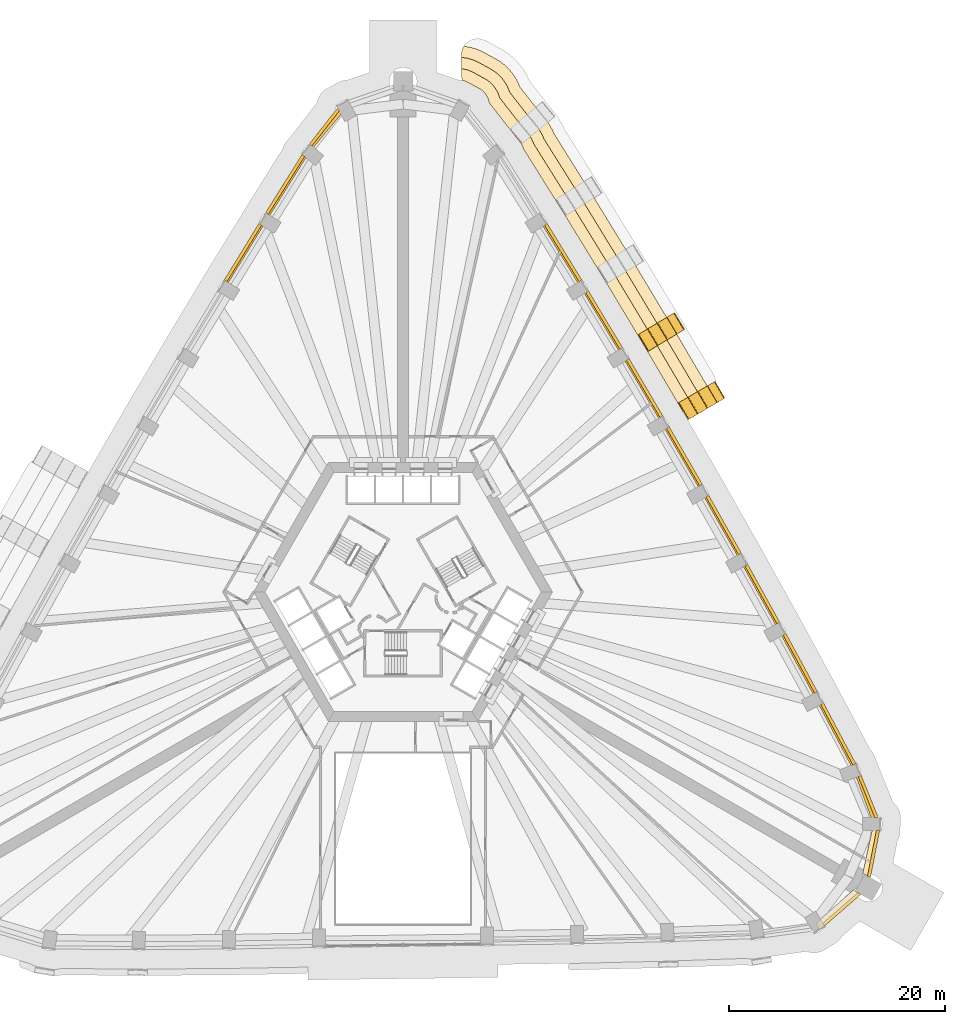
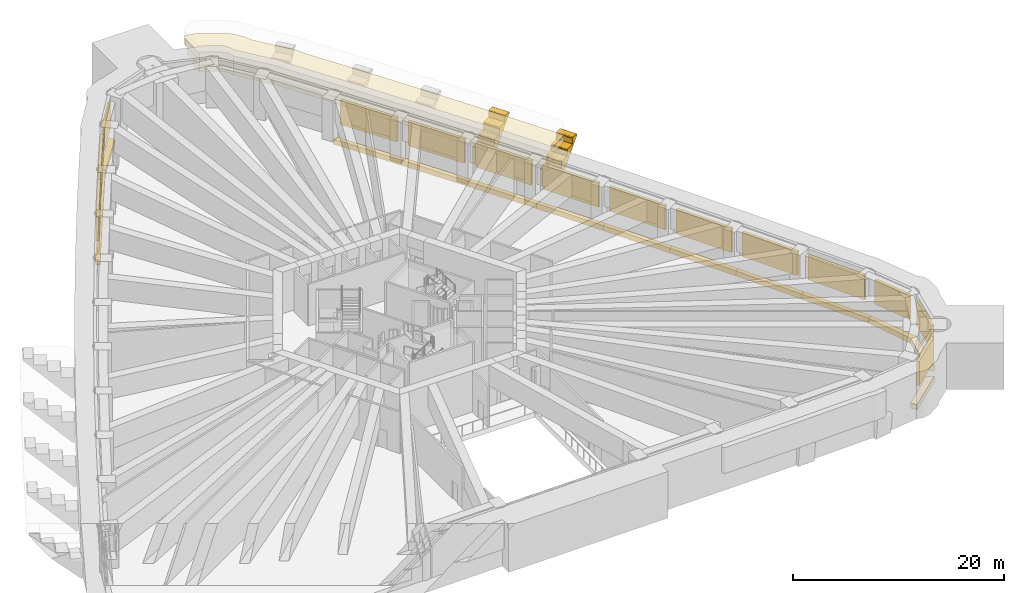
# One storey, part 20 of 21: 19 coverings, 14 shading devices.
"""IFC4 building model written with IfcOpenShell, lengths in metres."""

import ifcopenshell
import ifcopenshell.guid

model = None  # the IFC model being written
_history = None  # IfcOwnerHistory: only IFC2X3 demands one
_inside = {}  # id of a spatial element -> (the spatial element, [elements in it])
_under = {}  # id of a project, library or spatial element -> (it, [spatial elements below it])
_declared = {}  # id of a project -> (the project, [libraries it declares])
_typed = {}  # id of a type object -> (the type object, [elements of that type])
_made_of = {}  # id of a material, layer set ... -> (it, [elements and type objects made of it])


def new_model(schema):
    """Start an empty IFC model of exactly this schema.

    Asked for "IFC4X3", IfcOpenShell would pick the latest addendum, in which some entities
    have other attributes; the version numbers below select the first issue.
    IFC2X3 requires an IfcOwnerHistory on every rooted entity: one is made here for all.
    """
    global model, _history
    if schema == "IFC4X3":
        model = ifcopenshell.file(schema_version=(4, 3, 0, 0))
    else:
        model = ifcopenshell.file(schema=schema)
    _inside.clear()
    _under.clear()
    _declared.clear()
    _typed.clear()
    _made_of.clear()
    _history = None
    if model.schema == "IFC2X3":
        org = make("IfcOrganization", Name="unknown")
        user = make(
            "IfcPersonAndOrganization",
            ThePerson=make("IfcPerson", FamilyName="unknown"),
            TheOrganization=org,
        )
        app = make(
            "IfcApplication",
            ApplicationDeveloper=org,
            Version="unknown",
            ApplicationFullName="unknown",
            ApplicationIdentifier="unknown",
        )
        _history = make(
            "IfcOwnerHistory",
            OwningUser=user,
            OwningApplication=app,
            ChangeAction="ADDED",
            CreationDate=0,
        )
    return model


def make(cls, **values):
    """One entity of the class cls with the attributes given. An attribute that is None is left unset."""
    return model.create_entity(
        cls, **{name: value for name, value in values.items() if value is not None}
    )


def rooted(cls, **values):
    """An entity with a GlobalId (a new one), such as an element, a storey or a relation."""
    return make(cls, GlobalId=ifcopenshell.guid.new(), OwnerHistory=_history, **values)


def si_unit(unit_type, name, prefix=None):
    """IfcSIUnit, for example si_unit("LENGTHUNIT", "METRE", prefix="MILLI")."""
    return make("IfcSIUnit", UnitType=unit_type, Prefix=prefix, Name=name)


def assignment(units):
    """IfcUnitAssignment: the units of a project."""
    return None if units is None else make("IfcUnitAssignment", Units=units)


def point(xyz):
    """IfcCartesianPoint."""
    return None if xyz is None else make("IfcCartesianPoint", Coordinates=xyz)


def direction(xyz):
    """IfcDirection."""
    return None if xyz is None else make("IfcDirection", DirectionRatios=xyz)


def frame(location, z_axis=None, x_axis=None):
    """IfcAxis2Placement3D, a coordinate frame: its origin and axes. An axis left out is left unset."""
    return make(
        "IfcAxis2Placement3D",
        Location=point(location),
        Axis=direction(z_axis),
        RefDirection=direction(x_axis),
    )


def frame_2d(location, x_axis=None):
    """IfcAxis2Placement2D, a coordinate frame in the plane: its origin and x axis."""
    return make(
        "IfcAxis2Placement2D", Location=point(location), RefDirection=direction(x_axis)
    )


def origin():
    """The frame at (0, 0, 0) with its axes left unset."""
    return frame((0.0, 0.0, 0.0))


def origin_2d():
    """The frame at (0, 0) in the plane with its x axis left unset."""
    return frame_2d((0.0, 0.0))


def place(relative_to, where):
    """IfcLocalPlacement: puts the frame where relative to a parent placement (None: the world)."""
    return make(
        "IfcLocalPlacement", PlacementRelTo=relative_to, RelativePlacement=where
    )


def context(
    kind, dimensions, precision=None, world=None, true_north=None, identifier=None
):
    """IfcGeometricRepresentationContext, for example the 3D "Model" context."""
    return make(
        "IfcGeometricRepresentationContext",
        ContextIdentifier=identifier,
        ContextType=kind,
        CoordinateSpaceDimension=dimensions,
        Precision=precision,
        WorldCoordinateSystem=world,
        TrueNorth=true_north,
    )


def subcontext(parent, identifier, kind, view, scale=None):
    """IfcGeometricRepresentationSubContext, for example "Body" below "Model"."""
    return make(
        "IfcGeometricRepresentationSubContext",
        ContextIdentifier=identifier,
        ContextType=kind,
        ParentContext=parent,
        TargetScale=scale,
        TargetView=view,
    )


def project(units=None, contexts=None):
    """IfcProject with its units and contexts."""
    return rooted(
        "IfcProject",
        Name="project",
        RepresentationContexts=contexts,
        UnitsInContext=assignment(units),
    )


def spatial(cls, under=None, at=None, **own):
    """A site, building, storey or space (cls), placed at a placement, below another one or the project."""
    s = rooted(cls, ObjectPlacement=at, **own)
    if under is not None:
        _under.setdefault(under.id(), (under, []))[1].append(s)
    return s


def polyline(points):
    """IfcPolyline through the points."""
    return make("IfcPolyline", Points=[point(p) for p in points])


def profile(cls, at=None, kind="AREA", **sizes):
    """A parametric profile (cls). Its sizes go by their IFC names, for example OverallWidth=200.0."""
    return make(cls, ProfileType=kind, Position=at, **sizes)


def rectangle(**sizes):
    """IfcRectangleProfileDef."""
    return profile("IfcRectangleProfileDef", **sizes)


def outline(outer, holes=None, kind="AREA"):
    """IfcArbitraryClosedProfileDef: a profile drawn as a closed curve; with holes, ...WithVoids."""
    if holes is None:
        return make("IfcArbitraryClosedProfileDef", ProfileType=kind, OuterCurve=outer)
    return make(
        "IfcArbitraryProfileDefWithVoids",
        ProfileType=kind,
        OuterCurve=outer,
        InnerCurves=holes,
    )


def extrude(swept, where, along, depth):
    """IfcExtrudedAreaSolid: the profile swept, set in the frame where, extruded along a direction by depth."""
    return make(
        "IfcExtrudedAreaSolid",
        SweptArea=swept,
        Position=where,
        ExtrudedDirection=direction(along),
        Depth=depth,
    )


def shape(context_of_items, identifier, shape_type, items):
    """IfcShapeRepresentation: the items that make up one representation, for example the "Body"."""
    return make(
        "IfcShapeRepresentation",
        ContextOfItems=context_of_items,
        RepresentationIdentifier=identifier,
        RepresentationType=shape_type,
        Items=items,
    )


def material(Name=None, Category=None):
    """IfcMaterial."""
    return make("IfcMaterial", Name=Name, Category=Category)


def layer(
    of_material, thickness, ventilated=None, Name=None, Category=None, Priority=None
):
    """IfcMaterialLayer: one layer of a wall or slab, of a material (None: an air gap)."""
    return make(
        "IfcMaterialLayer",
        Material=of_material,
        LayerThickness=thickness,
        IsVentilated=ventilated,
        Name=Name,
        Category=Category,
        Priority=Priority,
    )


def layer_set(layers, Name=None):
    """IfcMaterialLayerSet."""
    return make("IfcMaterialLayerSet", MaterialLayers=layers, LayerSetName=Name)


def made_of(thing, what):
    """Note that an element or type object is made of a material, layer set ...; save() writes the relation."""
    if what is not None:
        _made_of.setdefault(what.id(), (what, []))[1].append(thing)
    return thing


def type_object(cls, material=None, **own):
    """A type object (cls), such as IfcWallType, which elements share."""
    return made_of(rooted(cls, **own), material)


def element(
    cls,
    number,
    at=None,
    inside=None,
    cuts=None,
    type_object=None,
    material=None,
    context=None,
    identifier="Body",
    shape_type=None,
    held_by="IfcProductDefinitionShape",
    body=None,
    shapes=None,
    **own,
):
    """One element of the class cls, such as IfcWall. Its Tag is "e" and its number.

    at: its placement. inside: the storey or other place that contains it. cuts: it is an
    opening in that element (IfcRelVoidsElement). A single representation is given by context,
    identifier, shape_type and body (its items); several are given by shapes. held_by: the class
    of the entity that holds the representations. save() writes the other relations.
    """
    e = rooted(cls, Tag="e%d" % number, ObjectPlacement=at, **own)
    if body is not None:
        shapes = [shape(context, identifier, shape_type, body)]
    if shapes is not None:
        e.Representation = make(held_by, Representations=shapes)
    if inside is not None:
        _inside.setdefault(inside.id(), (inside, []))[1].append(e)
    if cuts is not None:
        rooted(
            "IfcRelVoidsElement", RelatingBuildingElement=cuts, RelatedOpeningElement=e
        )
    if type_object is not None:
        _typed.setdefault(type_object.id(), (type_object, []))[1].append(e)
    return made_of(e, material)


def aggregate(whole, parts):
    """IfcRelAggregates: a whole, such as a stair, and the parts it consists of."""
    return rooted("IfcRelAggregates", RelatingObject=whole, RelatedObjects=parts)


def save(model, path):
    """Write the relations noted so far, then the file.

    IfcRelAggregates (storeys below a building ...), IfcRelContainedInSpatialStructure (elements
    in a storey), IfcRelDefinesByType, IfcRelAssociatesMaterial and IfcRelDeclares: one each for
    every whole, place, type object, material and project.
    """
    for whole, parts in _under.values():
        aggregate(whole, parts)
    for where, things in _inside.values():
        rooted(
            "IfcRelContainedInSpatialStructure",
            RelatedElements=things,
            RelatingStructure=where,
        )
    for kind, things in _typed.values():
        rooted("IfcRelDefinesByType", RelatedObjects=things, RelatingType=kind)
    for what, things in _made_of.values():
        rooted("IfcRelAssociatesMaterial", RelatedObjects=things, RelatingMaterial=what)
    for by, libraries in _declared.values():
        rooted("IfcRelDeclares", RelatingContext=by, RelatedDefinitions=libraries)
    model.write(path)


model = new_model("IFC4")

# Units and contexts
model_context = context("Model", 3, precision=1e-05, world=origin(), true_north=direction((0.0, 1.0)))
body_context = subcontext(model_context, "Body", "Model", "MODEL_VIEW")
ifc_project = project(units=[si_unit("LENGTHUNIT", "METRE"), si_unit("AREAUNIT", "SQUARE_METRE"), si_unit("VOLUMEUNIT", "CUBIC_METRE"), si_unit("PLANEANGLEUNIT", "RADIAN"), si_unit("MASSUNIT", "GRAM", prefix="KILO")], contexts=[model_context])

# Site, building, storey
site_placement = place(None, origin())
site = spatial("IfcSite", under=ifc_project, at=site_placement, CompositionType="ELEMENT")
building_placement = place(site_placement, origin())
building = spatial("IfcBuilding", under=site, at=building_placement, Name="Entoto Arch Interchange Tower", CompositionType="ELEMENT")
storey_placement = place(building_placement, frame((0.0, 0.0, 81.199951171875)))
storey = spatial("IfcBuildingStorey", under=building, at=storey_placement, Name="L17", CompositionType="ELEMENT", Elevation=81.199951171875)

# Shading devices
ifc_material_1 = material(Name="Aluminium, anodised", Category="aluminium")
ifc_layer = layer(ifc_material_1, 0.300048828125)
ifc_layer_set = layer_set([ifc_layer], Name="Aluminium, anodised")
shading_device_type = type_object("IfcShadingDeviceType", Name="PLANT LOUVRE ALUMINIUM", PredefinedType="JALOUSIE", material=ifc_layer_set)
shading_device_1_placement = place(storey_placement, frame((40.6708984375, -26.905029296875, 1.2001953125), z_axis=(0.0, 0.0, 1.0), x_axis=(0.754388879192, 0.656427771314, 0.0)))
element("IfcShadingDevice", 1, at=shading_device_1_placement, inside=storey, type_object=shading_device_type, Name="Plant louvre SE-02 L17", PredefinedType="JALOUSIE", context=body_context, shape_type="SweptSolid", body=[
    extrude(rectangle(XDim=4.368896484375, YDim=0.300048828125, at=origin_2d()), origin(), (0.0, 0.0, 1.0), 2.800048828125),
])
shading_device_2_placement = place(storey_placement, frame((43.635986328125, -21.77001953125, 1.2001953125), z_axis=(0.0, 0.0, 1.0), x_axis=(0.191408601662, 0.981510441722, 0.0)))
element("IfcShadingDevice", 2, at=shading_device_2_placement, inside=storey, type_object=shading_device_type, Name="Plant louvre SE-03 L17", PredefinedType="JALOUSIE", context=body_context, shape_type="SweptSolid", body=[
    extrude(rectangle(XDim=4.367919921875, YDim=0.300048828125, at=origin_2d()), origin(), (0.0, 0.0, 1.0), 2.800048828125),
])
shading_device_3_placement = place(storey_placement, frame((43.138916015625, -16.4970703125, 1.2001953125), z_axis=(0.0, 0.0, 1.0), x_axis=(-0.37342497368, 0.927660384533, 0.0)))
element("IfcShadingDevice", 3, at=shading_device_3_placement, inside=storey, type_object=shading_device_type, Name="Plant louvre SE-04 L17", PredefinedType="JALOUSIE", context=body_context, shape_type="SweptSolid", body=[
    extrude(rectangle(XDim=4.158935546875, YDim=0.300048828125, at=origin_2d()), origin(), (0.0, 0.0, 1.0), 2.800048828125),
])
shading_device_4_placement = place(storey_placement, frame((40.364990234375, -10.676025390625, 1.2001953125), z_axis=(0.0, 0.0, 1.0), x_axis=(-0.469070845554, 0.88316054138, 0.0)))
element("IfcShadingDevice", 4, at=shading_device_4_placement, inside=storey, type_object=shading_device_type, Name="Plant louvre NE-01 L17", PredefinedType="JALOUSIE", context=body_context, shape_type="SweptSolid", body=[
    extrude(rectangle(XDim=6.346923828125, YDim=0.300048828125, at=origin_2d()), origin(), (0.0, 0.0, 1.0), 2.800048828125),
])
shading_device_5_placement = place(storey_placement, frame((36.84912109375, -4.1220703125, 1.2001953125), z_axis=(0.0, 0.0, 1.0), x_axis=(-0.476759916589, 0.879033549948, 0.0)))
element("IfcShadingDevice", 5, at=shading_device_5_placement, inside=storey, type_object=shading_device_type, Name="Plant louvre NE-02 L17", PredefinedType="JALOUSIE", context=body_context, shape_type="SweptSolid", body=[
    extrude(rectangle(XDim=6.135009765625, YDim=0.300048828125, at=origin_2d()), origin(), (0.0, 0.0, 1.0), 2.800048828125),
])
shading_device_6_placement = place(storey_placement, frame((33.323974609375, 2.305908203125, 1.2001953125), z_axis=(0.0, 0.0, 1.0), x_axis=(-0.484702761673, 0.874678931281, 0.0)))
element("IfcShadingDevice", 6, at=shading_device_6_placement, inside=storey, type_object=shading_device_type, Name="Plant louvre NE-03 L17", PredefinedType="JALOUSIE", context=body_context, shape_type="SweptSolid", body=[
    extrude(rectangle(XDim=6.134033203125, YDim=0.300048828125, at=origin_2d()), origin(), (0.0, 0.0, 1.0), 2.800048828125),
])
for number, where, z_axis, x_axis, name in (
    (7, (29.741943359375, 8.7041015625, 1.2001953125), (0.0, 0.0, 1.0), (-0.492271646879, 0.870441626808, 0.0), "Plant louvre NE-04 L17"),
    (8, (26.10400390625, 15.070068359375, 1.2001953125), (0.0, 0.0, 1.0), (-0.499939538803, 0.866060308259, 0.0), "Plant louvre NE-05 L17"),
):
    element("IfcShadingDevice", number, at=place(storey_placement, frame(where, z_axis=z_axis, x_axis=x_axis)), inside=storey, type_object=shading_device_type, Name=name, PredefinedType="JALOUSIE", context=body_context, shape_type="SweptSolid", body=[
        extrude(rectangle(XDim=6.135009765625, YDim=0.300048828125, at=origin_2d()), origin(), (0.0, 0.0, 1.0), 2.800048828125),
    ])
shading_device_7_placement = place(storey_placement, frame((22.408935546875, 21.404052734375, 1.2001953125), z_axis=(0.0, 0.0, 1.0), x_axis=(-0.50750828612, 0.861646876348, 0.0)))
element("IfcShadingDevice", 9, at=shading_device_7_placement, inside=storey, type_object=shading_device_type, Name="Plant louvre NE-06 L17", PredefinedType="JALOUSIE", context=body_context, shape_type="SweptSolid", body=[
    extrude(rectangle(XDim=6.135986328125, YDim=0.300048828125, at=origin_2d()), origin(), (0.0, 0.0, 1.0), 2.800048828125),
])
shading_device_8_placement = place(storey_placement, frame((18.659912109375, 27.7060546875, 1.2001953125), z_axis=(0.0, 0.0, 1.0), x_axis=(-0.515307336539, 0.857005454422, 0.0)))
element("IfcShadingDevice", 10, at=shading_device_8_placement, inside=storey, type_object=shading_device_type, Name="Plant louvre NE-07 L17", PredefinedType="JALOUSIE", context=body_context, shape_type="SweptSolid", body=[
    extrude(rectangle(XDim=6.134033203125, YDim=0.300048828125, at=origin_2d()), origin(), (0.0, 0.0, 1.0), 2.800048828125),
])
shading_device_9_placement = place(storey_placement, frame((14.85400390625, 33.97412109375, 1.2001953125), z_axis=(0.0, 0.0, 1.0), x_axis=(-0.522662250246, 0.852539836118, 0.0)))
element("IfcShadingDevice", 11, at=shading_device_9_placement, inside=storey, type_object=shading_device_type, Name="Plant louvre NE-08 L17", PredefinedType="JALOUSIE", context=body_context, shape_type="SweptSolid", body=[
    extrude(rectangle(XDim=6.135986328125, YDim=0.300048828125, at=origin_2d()), origin(), (0.0, 0.0, 1.0), 2.800048828125),
])
shading_device_10_placement = place(storey_placement, frame((-7.282958984375, 45.60693359375, 1.2001953125), z_axis=(0.0, 0.0, 1.0), x_axis=(-0.616568789885, -0.787301039844, 0.0)))
element("IfcShadingDevice", 12, at=shading_device_10_placement, inside=storey, type_object=shading_device_type, Name="Plant louvre N-04 L17", PredefinedType="JALOUSIE", context=body_context, shape_type="SweptSolid", body=[
    extrude(rectangle(XDim=4.158935546875, YDim=0.300048828125, at=origin_2d()), origin(), (0.0, 0.0, 1.0), 2.800048828125),
])
shading_device_11_placement = place(storey_placement, frame((-10.93603515625, 40.2958984375, 1.2001953125), z_axis=(0.0, 0.0, 1.0), x_axis=(-0.530422412772, -0.847733486438, 0.0)))
element("IfcShadingDevice", 13, at=shading_device_11_placement, inside=storey, type_object=shading_device_type, Name="Plant louvre NW-01 L17", PredefinedType="JALOUSIE", context=body_context, shape_type="SweptSolid", body=[
    extrude(rectangle(XDim=6.343994140625, YDim=0.300048828125, at=origin_2d()), origin(), (0.0, 0.0, 1.0), 2.800048828125),
])
shading_device_12_placement = place(storey_placement, frame((-14.85400390625, 33.97412109375, 1.2001953125), z_axis=(0.0, 0.0, 1.0), x_axis=(-0.522662250246, -0.852539836118, 0.0)))
element("IfcShadingDevice", 14, at=shading_device_12_placement, inside=storey, type_object=shading_device_type, Name="Plant louvre NW-02 L17", PredefinedType="JALOUSIE", context=body_context, shape_type="SweptSolid", body=[
    extrude(rectangle(XDim=6.135986328125, YDim=0.300048828125, at=origin_2d()), origin(), (0.0, 0.0, 1.0), 2.800048828125),
])

# Coverings
ifc_material_2 = material(Name="Board-marked precast concrete C50/60", Category="concrete")
covering_type_1 = type_object("IfcCoveringType", Name="PRECAST FRAME COURSE", PredefinedType="CLADDING", material=ifc_material_2)
covering_1_placement = place(storey_placement, frame((0.0, 0.0, 3.300048828125)))
element("IfcCovering", 15, at=covering_1_placement, inside=storey, type_object=covering_type_1, Name="Cantilever cornice ne-L17 2", PredefinedType="CLADDING", context=body_context, shape_type="SweptSolid", body=[
    extrude(outline(polyline([(5.47705078125, 50.072021484375), (5.444091796875, 50.2119140625), (5.423095703125, 50.35400390625), (5.416015625, 50.4970703125), (5.416015625, 52.326904296875), (5.423095703125, 52.470947265625), (5.444091796875, 52.614013671875), (5.47802734375, 52.75390625), (5.52587890625, 52.89111328125), (5.5869140625, 53.02197265625), (5.656982421875, 53.14208984375), (5.804931640625, 53.091064453125), (6.1669921875, 53.033935546875), (6.636962890625, 52.910888671875), (7.092041015625, 52.742919921875), (7.529052734375, 52.531005859375), (8.58203125, 51.9541015625), (8.99609375, 51.699951171875), (9.383056640625, 51.406982421875), (9.739990234375, 51.076904296875), (10.06201171875, 50.714111328125), (10.347900390625, 50.321044921875), (10.593017578125, 49.902099609375), (10.7958984375, 49.4599609375), (10.837890625, 49.339111328125), (12.906005859375, 46.698974609375), (13.24609375, 46.2880859375), (13.537109375, 45.89892578125), (13.7880859375, 45.48388671875), (13.998046875, 45.044921875), (14.02099609375, 44.98193359375), (16.93994140625, 40.31591796875), (16.943115234375, 40.31201171875), (17.5791015625, 39.2939453125), (17.60400390625, 39.25390625), (20.799072265625, 34.033935546875), (20.80908203125, 34.02001953125), (21.43408203125, 32.99609375), (21.455078125, 32.9619140625), (24.59912109375, 27.72412109375), (24.617919921875, 27.695068359375), (25.23388671875, 26.6650390625), (25.2509765625, 26.635986328125), (28.344970703125, 21.3759765625), (28.3720703125, 21.3359375), (28.637939453125, 20.87890625), (28.625, 20.864013671875), (28.52001953125, 20.760986328125), (28.405029296875, 20.6689453125), (28.281005859375, 20.587890625), (26.049072265625, 19.283935546875), (25.986083984375, 19.2470703125), (25.9541015625, 19.22900390625), (25.652099609375, 19.7470703125), (25.625, 19.7880859375), (22.535888671875, 25.0390625), (22.530029296875, 25.049072265625), (21.9140625, 26.0791015625), (21.89501953125, 26.10791015625), (18.75390625, 31.341064453125), (18.7470703125, 31.35302734375), (18.12109375, 32.376953125), (18.111083984375, 32.39111328125), (14.9169921875, 37.610107421875), (14.907958984375, 37.6240234375), (14.27197265625, 38.64208984375), (14.26904296875, 38.64599609375), (11.16796875, 43.60302734375), (11.153076171875, 43.662109375), (11.093017578125, 43.827880859375), (11.01611328125, 43.987060546875), (10.925048828125, 44.137939453125), (10.819091796875, 44.280029296875), (10.451904296875, 44.722900390625), (7.98291015625, 47.876953125), (7.972900390625, 47.946044921875), (7.931884765625, 48.117919921875), (7.8740234375, 48.284912109375), (7.800048828125, 48.445068359375), (7.7109375, 48.597900390625), (7.60693359375, 48.739990234375), (7.489990234375, 48.873046875), (7.360107421875, 48.992919921875), (7.218994140625, 49.09912109375), (7.069091796875, 49.19189453125), (6.01611328125, 49.76806640625), (5.85693359375, 49.844970703125), (5.69189453125, 49.906005859375), (5.52099609375, 49.950927734375), (5.48388671875, 49.95703125), (5.51806640625, 49.952880859375), (5.514892578125, 49.964111328125), (5.47705078125, 50.072021484375)])), origin(), (0.0, 0.0, 1.0), 0.75),
])
covering_2_placement = place(storey_placement, frame((0.0, 0.0, 2.550048828125)))
element("IfcCovering", 16, at=covering_2_placement, inside=storey, type_object=covering_type_1, Name="Cantilever cornice ne-L17 3", PredefinedType="CLADDING", context=body_context, shape_type="SweptSolid", body=[
    extrude(outline(polyline([(5.47705078125, 50.072021484375), (5.444091796875, 50.2119140625), (5.423095703125, 50.35400390625), (5.416015625, 50.4970703125), (5.416015625, 52.114990234375), (5.553955078125, 52.068115234375), (5.572998046875, 52.06591796875), (5.950927734375, 52.006103515625), (6.322021484375, 51.909912109375), (6.680908203125, 51.777099609375), (7.02490234375, 51.610107421875), (8.077880859375, 51.032958984375), (8.404052734375, 50.8330078125), (8.708984375, 50.60205078125), (8.989990234375, 50.342041015625), (9.243896484375, 50.055908203125), (9.468994140625, 49.74609375), (9.662109375, 49.416015625), (9.822021484375, 49.069091796875), (9.906005859375, 48.826904296875), (12.087890625, 46.0400390625), (12.43701171875, 45.618896484375), (12.666015625, 45.31201171875), (12.864013671875, 44.985107421875), (13.029052734375, 44.639892578125), (13.074951171875, 44.513916015625), (16.050048828125, 39.759033203125), (16.052978515625, 39.7548828125), (16.68896484375, 38.738037109375), (16.708984375, 38.7060546875), (19.903076171875, 33.486083984375), (19.9130859375, 33.471923828125), (20.5380859375, 32.447998046875), (20.554931640625, 32.4208984375), (23.697998046875, 27.18505859375), (23.717041015625, 27.156982421875), (24.3330078125, 26.126953125), (24.345947265625, 26.10302734375), (27.43896484375, 20.846923828125), (27.465087890625, 20.805908203125), (27.76806640625, 20.2880859375), (26.049072265625, 19.283935546875), (25.986083984375, 19.2470703125), (25.9541015625, 19.22900390625), (25.652099609375, 19.7470703125), (25.625, 19.7880859375), (22.535888671875, 25.0390625), (22.530029296875, 25.049072265625), (21.9140625, 26.0791015625), (21.89501953125, 26.10791015625), (18.75390625, 31.341064453125), (18.7470703125, 31.35302734375), (18.12109375, 32.376953125), (18.111083984375, 32.39111328125), (14.9169921875, 37.610107421875), (14.907958984375, 37.6240234375), (14.27197265625, 38.64208984375), (14.26904296875, 38.64599609375), (11.16796875, 43.60302734375), (11.153076171875, 43.662109375), (11.093017578125, 43.827880859375), (11.01611328125, 43.987060546875), (10.925048828125, 44.137939453125), (10.819091796875, 44.280029296875), (10.451904296875, 44.722900390625), (7.98291015625, 47.876953125), (7.972900390625, 47.946044921875), (7.931884765625, 48.117919921875), (7.8740234375, 48.284912109375), (7.800048828125, 48.445068359375), (7.7109375, 48.597900390625), (7.60693359375, 48.739990234375), (7.489990234375, 48.873046875), (7.360107421875, 48.992919921875), (7.218994140625, 49.09912109375), (7.069091796875, 49.19189453125), (6.01611328125, 49.76806640625), (5.85693359375, 49.844970703125), (5.69189453125, 49.906005859375), (5.52099609375, 49.950927734375), (5.48388671875, 49.95703125), (5.51806640625, 49.952880859375), (5.514892578125, 49.964111328125), (5.47705078125, 50.072021484375)])), origin(), (0.0, 0.0, 1.0), 0.75),
])
covering_3_placement = place(storey_placement, frame((0.0, 0.0, 1.800048828125)))
element("IfcCovering", 17, at=covering_3_placement, inside=storey, type_object=covering_type_1, Name="Cantilever cornice ne-L17 4", PredefinedType="CLADDING", context=body_context, shape_type="SweptSolid", body=[
    extrude(outline(polyline([(5.47705078125, 50.072021484375), (5.444091796875, 50.2119140625), (5.423095703125, 50.35400390625), (5.416015625, 50.4970703125), (5.416015625, 51.02490234375), (5.4599609375, 51.02197265625), (5.736083984375, 50.97900390625), (6.007080078125, 50.907958984375), (6.26904296875, 50.81103515625), (6.52099609375, 50.68896484375), (7.572998046875, 50.112060546875), (7.81201171875, 49.966064453125), (8.034912109375, 49.797119140625), (8.239990234375, 49.60693359375), (8.426025390625, 49.39794921875), (8.590087890625, 49.172119140625), (8.73095703125, 48.930908203125), (8.847900390625, 48.677001953125), (8.93994140625, 48.412109375), (8.958984375, 48.333984375), (11.27001953125, 45.381103515625), (11.6279296875, 44.948974609375), (11.7958984375, 44.72509765625), (11.93994140625, 44.486083984375), (12.06103515625, 44.23388671875), (12.12890625, 44.0458984375), (15.159912109375, 39.202880859375), (15.1630859375, 39.197998046875), (15.799072265625, 38.180908203125), (15.81298828125, 38.157958984375), (19.007080078125, 32.93798828125), (19.01708984375, 32.924072265625), (19.64306640625, 31.89990234375), (19.654052734375, 31.881103515625), (22.797119140625, 26.64697265625), (22.81591796875, 26.617919921875), (23.430908203125, 25.587890625), (23.44091796875, 25.571044921875), (26.531982421875, 20.31689453125), (26.55810546875, 20.27587890625), (26.861083984375, 19.758056640625), (26.049072265625, 19.283935546875), (25.986083984375, 19.2470703125), (25.9541015625, 19.22900390625), (25.652099609375, 19.7470703125), (25.625, 19.7880859375), (22.535888671875, 25.0390625), (22.530029296875, 25.049072265625), (21.9140625, 26.0791015625), (21.89501953125, 26.10791015625), (18.75390625, 31.341064453125), (18.7470703125, 31.35302734375), (18.12109375, 32.376953125), (18.111083984375, 32.39111328125), (14.9169921875, 37.610107421875), (14.907958984375, 37.6240234375), (14.27197265625, 38.64208984375), (14.26904296875, 38.64599609375), (11.16796875, 43.60302734375), (11.153076171875, 43.662109375), (11.093017578125, 43.827880859375), (11.01611328125, 43.987060546875), (10.925048828125, 44.137939453125), (10.819091796875, 44.280029296875), (10.451904296875, 44.722900390625), (7.98291015625, 47.876953125), (7.972900390625, 47.946044921875), (7.931884765625, 48.117919921875), (7.8740234375, 48.284912109375), (7.800048828125, 48.445068359375), (7.7109375, 48.597900390625), (7.60693359375, 48.739990234375), (7.489990234375, 48.873046875), (7.360107421875, 48.992919921875), (7.218994140625, 49.09912109375), (7.069091796875, 49.19189453125), (6.01611328125, 49.76806640625), (5.85693359375, 49.844970703125), (5.69189453125, 49.906005859375), (5.52099609375, 49.950927734375), (5.48388671875, 49.95703125), (5.51806640625, 49.952880859375), (5.514892578125, 49.964111328125), (5.47705078125, 50.072021484375)])), origin(), (0.0, 0.0, 1.0), 0.75),
])
covering_4_placement = place(storey_placement, frame((26.657958984375, 18.597900390625, -0.0859375), z_axis=(0.504580232024, -0.863360030354, 0.002871835349), x_axis=(-0.678200559047, -0.398420056339, -0.61749936066)))
element("IfcCovering", 18, at=covering_4_placement, inside=storey, type_object=covering_type_1, Name="Fold rib NE06 L17", PredefinedType="CLADDING", context=body_context, shape_type="SweptSolid", body=[
    extrude(outline(polyline([(0.0, 0.0), (0.045465957418843614, 3.469446951953614e-18), (0.08730781855940949, -0.012671336957317349), (0.12500056428409265, -0.038226139676064884), (0.14366485047003588, -0.06064031529267602), (0.16471710942001241, -0.10013464099120076), (0.17252097869494684, -0.14443772551491746), (0.1671081240745494, -0.1883003057720696), (0.1490357643481738, -0.22873846512506033), (-0.8674641124124185, -1.5261594828137628), (-0.9003933213608286, -1.5561793750559292), (-0.9257105952183174, -1.5704432086877178), (-0.9536723653978916, -1.579222609240985), (-0.9828781780678408, -1.5829857879050337), (-1.0120722624201095, -1.5802439192104802), (-1.0401788503616891, -1.5733860334397654), (-1.0664298727368635, -1.5592969609754133), (-1.7628344112212537, -1.013819837347669), (-2.143368651932324, -1.496945585301782), (-2.16578746926033, -1.5162816297038297), (-2.1909287904922112, -1.5306892432190584), (-2.21856978437231, -1.5397161737987224), (-2.2480963733417343, -1.5432318224363746), (-2.2922757093452764, -1.5377228316484237), (-2.319118848250559, -1.5268927086849877), (-2.3437502136771684, -1.511281371449264), (-3.0517027733053785, -0.9554979584727776), (-3.432237014016449, -1.4386237064268905), (-3.4546558313444553, -1.4579597508289384), (-3.480070375723511, -1.4721479911281252), (-3.5081977222114467, -1.48079695504478), (-3.5372379585730345, -1.4846905703454412), (-3.5805894130347715, -1.4798337627405522), (-3.6086495155681284, -1.4680490832636468), (-3.632891798908468, -1.452740119358331), (-4.341895745856392, -0.8961325865049874), (-4.721378599247749, -1.380082454335957), (-4.743797416575756, -1.3994184987380047), (-4.768938737807636, -1.4138261122532338), (-4.796511425900942, -1.4229078861369082), (-4.826106320657159, -1.42636869147055), (-4.870120080352341, -1.4209901373192115), (-4.909833967951791, -1.4025360846574888), (-5.356087391595123, -1.0534442467094398), (-5.377100596705366, -1.0332241234988224), (-5.394159371049006, -1.0095894024678151), (-5.405623445693194, -0.9828977918544335), (-5.4124218821405305, -0.954589864262549), (-5.413215250295615, -0.9260315821706264), (-5.408018369786959, -0.8969004761930992), (-5.398844563610874, -0.8699605981479239), (-5.383280516495496, -0.845241088052652), (-5.36362677904036, -0.823735057350441), (-5.340097295878591, -0.8065130103675147), (-5.3136797325045855, -0.7943498309080201), (-5.2851471352573665, -0.7875740871924215), (-4.476503615036929, -0.6672316785361398), (-4.446944829371686, -0.6687110101555167), (-4.417689583588826, -0.6764686091356897), (-4.391098381324186, -0.6895835206350127), (-4.370438149209235, -0.7045611335622044), (-4.341928434172803, -0.6723152661388347), (-4.319061256244478, -0.6545714726094589), (-4.293198351265103, -0.6419754831829443), (-4.26459744823109, -0.6352545827713563), (0.0, 0.0)])), origin(), (0.0, 0.0, -1.0), 1.800048828125),
])
covering_5_placement = place(storey_placement, frame((22.931884765625, 24.93994140625, -0.0810546875), z_axis=(0.512876098688, -0.858456982462, 0.003117155235), x_axis=(-0.66874333549, -0.40180518256, -0.625567699378)))
element("IfcCovering", 19, at=covering_5_placement, inside=storey, type_object=covering_type_1, Name="Fold rib NE07 L17", PredefinedType="CLADDING", context=body_context, shape_type="SweptSolid", body=[
    extrude(outline(polyline([(0.0, 0.0), (0.04449052318989309, 0.0), (0.08726848527344577, -0.013648822114215559), (0.11173839463592106, -0.02951457764263056), (0.14276379080585105, -0.06190173277095154), (0.16324561036670782, -0.10148140963444102), (0.17075586248560695, -0.1459950079522785), (0.16512520973966763, -0.1902975154883988), (0.14624818141295087, -0.23023894095184969), (-0.8812114327741992, -1.5124314880294094), (-0.913144712751886, -1.543153875760622), (-0.939091014815046, -1.5567720045761673), (-0.966917647315377, -1.5654383472478846), (-0.9963850103164786, -1.5687235109533644), (-1.0255523692001267, -1.5656778516965943), (-1.0541378988746926, -1.5580906606576121), (-1.0800804436075204, -1.543861311085809), (-1.7702596219486662, -0.9916966008837009), (-2.1557624237539006, -1.470867066488463), (-2.178477484864519, -1.4898929851224947), (-2.203672620295716, -1.504114594391893), (-2.231891640669641, -1.5124696537195348), (-2.260966615797149, -1.5160661007690899), (-2.305407958327093, -1.5098479266144471), (-2.332202933839527, -1.498687561659621), (-2.3567709401704007, -1.482743985295187), (-3.0586219734280964, -0.9199730356495759), (-3.4441247752333313, -1.3991435012543378), (-3.4670031037598408, -1.4180380049839105), (-3.4928513088546023, -1.4317339546354746), (-3.5205146739390423, -1.4405317122116506), (-3.5494922346924707, -1.4442111206305062), (-3.5935411893488203, -1.4383042298199384), (-3.620565285318958, -1.4269639964254954), (-3.6452965590657223, -1.4108890051566028), (-4.348453731650547, -0.8470667362753233), (-4.7322580062550585, -1.3275998044598292), (-4.754874970397279, -1.3467035439298798), (-4.780821272460439, -1.360321672745425), (-4.8088770254184725, -1.3688081469775255), (-4.8381152679618715, -1.3722731791226224), (-4.881903540828251, -1.3665806645858134), (-4.921810701252913, -1.3474109792550668), (-5.363209893626527, -0.9947317043844874), (-5.384177634666349, -0.9741632625045993), (-5.400729394481895, -0.9505633159749416), (-5.412015288326573, -0.9236768797419939), (-5.418908207687327, -0.8949928829831735), (-5.419960448820938, -0.865986577085831), (-5.414463629948816, -0.836910190654875), (-5.404621092365938, -0.8103767046326245), (-5.38853755523664, -0.7860369311173572), (-5.369317645495865, -0.7642079864878193), (-5.345057404819861, -0.7476714264205491), (-5.319068939049561, -0.735340835797341), (-5.289915023920443, -0.7293007272675704), (-4.481158761992599, -0.6176771945306316), (-4.451227770663421, -0.6197705055692739), (-4.422805508404747, -0.6272262817037979), (-4.396252057715495, -0.6406937527010983), (-4.3738861503871345, -0.6573777373210672), (-4.35575386189066, -0.6334243115372831), (-4.334292918067564, -0.6149616369412851), (-4.308236053222438, -0.5998655002897775), (-4.267156028188522, -0.5880545273437501), (0.0, 0.0)])), origin(), (0.0, 0.0, -1.0), 1.800048828125),
])
covering_type_2 = type_object("IfcCoveringType", Name="PRECAST LEDGE COURSE", PredefinedType="CLADDING", material=ifc_material_2)
covering_6_placement = place(storey_placement, frame((0.0, 0.0, -1.199951171875)))
element("IfcCovering", 20, at=covering_6_placement, inside=storey, type_object=covering_type_2, Name="Precast course SE-02 L17", PredefinedType="CLADDING", context=body_context, shape_type="SweptSolid", body=[
    extrude(outline(polyline([(41.741943359375, -25.138916015625), (42.455078125, -25.551025390625), (38.64404296875, -28.867919921875), (38.284912109375, -28.277099609375), (41.741943359375, -25.138916015625)])), origin(), (0.0, 0.0, 1.0), 0.60009765625),
])
covering_7_placement = place(storey_placement, frame((0.0, 0.0, -1.199951171875)))
element("IfcCovering", 21, at=covering_7_placement, inside=storey, type_object=covering_type_2, Name="Precast course SE-03 L17", PredefinedType="CLADDING", context=body_context, shape_type="SweptSolid", body=[
    extrude(outline(polyline([(43.631103515625, -19.01806640625), (44.322021484375, -19.033935546875), (43.35498046875, -23.991943359375), (42.64208984375, -23.580078125), (43.631103515625, -19.01806640625)])), origin(), (0.0, 0.0, 1.0), 0.60009765625),
])
covering_8_placement = place(storey_placement, frame((0.0, 0.0, -1.199951171875)))
element("IfcCovering", 22, at=covering_8_placement, inside=storey, type_object=covering_type_2, Name="Precast course SE-04 L17", PredefinedType="CLADDING", context=body_context, shape_type="SweptSolid", body=[
    extrude(outline(polyline([(41.833984375, -14.125), (42.279052734375, -13.9599609375), (44.322021484375, -19.033935546875), (43.631103515625, -19.01806640625), (41.833984375, -14.125)])), origin(), (0.0, 0.0, 1.0), 0.60009765625),
])
covering_9_placement = place(storey_placement, frame((0.0, 0.0, -1.199951171875)))
element("IfcCovering", 23, at=covering_9_placement, inside=storey, type_object=covering_type_2, Name="Precast course NE-01 L17", PredefinedType="CLADDING", context=body_context, shape_type="SweptSolid", body=[
    extrude(outline(polyline([(38.321044921875, -7.491943359375), (38.72900390625, -7.27490234375), (42.279052734375, -13.9599609375), (41.833984375, -14.125), (38.321044921875, -7.491943359375)])), origin(), (0.0, 0.0, 1.0), 0.60009765625),
])
covering_10_placement = place(storey_placement, frame((0.0, 0.0, -1.199951171875)))
element("IfcCovering", 24, at=covering_10_placement, inside=storey, type_object=covering_type_2, Name="Precast course NE-02 L17", PredefinedType="CLADDING", context=body_context, shape_type="SweptSolid", body=[
    extrude(outline(polyline([(34.8310546875, -1.047119140625), (35.23193359375, -0.827880859375), (38.72900390625, -7.27490234375), (38.321044921875, -7.491943359375), (34.8310546875, -1.047119140625)])), origin(), (0.0, 0.0, 1.0), 0.60009765625),
])
covering_11_placement = place(storey_placement, frame((0.0, 0.0, -1.199951171875)))
element("IfcCovering", 25, at=covering_11_placement, inside=storey, type_object=covering_type_2, Name="Precast course NE-03 L17", PredefinedType="CLADDING", context=body_context, shape_type="SweptSolid", body=[
    extrude(outline(polyline([(31.282958984375, 5.365966796875), (31.677978515625, 5.5859375), (35.23193359375, -0.827880859375), (34.8310546875, -1.047119140625), (31.282958984375, 5.365966796875)])), origin(), (0.0, 0.0, 1.0), 0.60009765625),
])
covering_12_placement = place(storey_placement, frame((0.0, 0.0, -1.199951171875)))
element("IfcCovering", 26, at=covering_12_placement, inside=storey, type_object=covering_type_2, Name="Precast course NE-04 L17", PredefinedType="CLADDING", context=body_context, shape_type="SweptSolid", body=[
    extrude(outline(polyline([(27.676025390625, 11.7470703125), (28.06689453125, 11.969970703125), (31.677978515625, 5.5859375), (31.282958984375, 5.365966796875), (27.676025390625, 11.7470703125)])), origin(), (0.0, 0.0, 1.0), 0.60009765625),
])
covering_13_placement = place(storey_placement, frame((0.0, 0.0, -1.199951171875)))
element("IfcCovering", 27, at=covering_13_placement, inside=storey, type_object=covering_type_2, Name="Precast course NE-05 L17", PredefinedType="CLADDING", context=body_context, shape_type="SweptSolid", body=[
    extrude(outline(polyline([(24.010986328125, 18.093994140625), (24.39990234375, 18.321044921875), (28.06689453125, 11.969970703125), (27.676025390625, 11.7470703125), (24.010986328125, 18.093994140625)])), origin(), (0.0, 0.0, 1.0), 0.60009765625),
])
covering_14_placement = place(storey_placement, frame((0.0, 0.0, -1.199951171875)))
element("IfcCovering", 28, at=covering_14_placement, inside=storey, type_object=covering_type_2, Name="Precast course NE-06 L17", PredefinedType="CLADDING", context=body_context, shape_type="SweptSolid", body=[
    extrude(outline(polyline([(20.2890625, 24.408935546875), (20.677001953125, 24.64111328125), (24.39990234375, 18.321044921875), (24.010986328125, 18.093994140625), (20.2890625, 24.408935546875)])), origin(), (0.0, 0.0, 1.0), 0.60009765625),
])
covering_15_placement = place(storey_placement, frame((0.0, 0.0, -1.199951171875)))
element("IfcCovering", 29, at=covering_15_placement, inside=storey, type_object=covering_type_2, Name="Precast course NE-07 L17", PredefinedType="CLADDING", context=body_context, shape_type="SweptSolid", body=[
    extrude(outline(polyline([(16.509033203125, 30.68798828125), (16.89794921875, 30.926025390625), (20.677001953125, 24.64111328125), (20.2890625, 24.408935546875), (16.509033203125, 30.68798828125)])), origin(), (0.0, 0.0, 1.0), 0.60009765625),
])
covering_16_placement = place(storey_placement, frame((0.0, 0.0, -1.199951171875)))
element("IfcCovering", 30, at=covering_16_placement, inside=storey, type_object=covering_type_2, Name="Precast course NE-08 L17", PredefinedType="CLADDING", context=body_context, shape_type="SweptSolid", body=[
    extrude(outline(polyline([(12.672119140625, 36.93408203125), (13.06396484375, 37.178955078125), (16.89794921875, 30.926025390625), (16.509033203125, 30.68798828125), (12.672119140625, 36.93408203125)])), origin(), (0.0, 0.0, 1.0), 0.60009765625),
])
covering_17_placement = place(storey_placement, frame((0.0, 0.0, -1.199951171875)))
element("IfcCovering", 31, at=covering_17_placement, inside=storey, type_object=covering_type_2, Name="Precast course N-04 L17", PredefinedType="CLADDING", context=body_context, shape_type="SweptSolid", body=[
    extrude(outline(polyline([(-8.68408203125, 43.2919921875), (-9.050048828125, 43.593994140625), (-5.677978515625, 47.90087890625), (-5.345947265625, 47.2939453125), (-8.68408203125, 43.2919921875)])), origin(), (0.0, 0.0, 1.0), 0.60009765625),
])
covering_18_placement = place(storey_placement, frame((0.0, 0.0, -1.199951171875)))
element("IfcCovering", 32, at=covering_18_placement, inside=storey, type_object=covering_type_2, Name="Precast course NW-01 L17", PredefinedType="CLADDING", context=body_context, shape_type="SweptSolid", body=[
    extrude(outline(polyline([(-12.672119140625, 36.93408203125), (-13.06396484375, 37.178955078125), (-9.050048828125, 43.593994140625), (-8.68408203125, 43.2919921875), (-12.672119140625, 36.93408203125)])), origin(), (0.0, 0.0, 1.0), 0.60009765625),
])
covering_19_placement = place(storey_placement, frame((0.0, 0.0, -1.199951171875)))
element("IfcCovering", 33, at=covering_19_placement, inside=storey, type_object=covering_type_2, Name="Precast course NW-02 L17", PredefinedType="CLADDING", context=body_context, shape_type="SweptSolid", body=[
    extrude(outline(polyline([(-16.509033203125, 30.68798828125), (-16.89794921875, 30.926025390625), (-13.06396484375, 37.178955078125), (-12.672119140625, 36.93408203125), (-16.509033203125, 30.68798828125)])), origin(), (0.0, 0.0, 1.0), 0.60009765625),
])

save(model, "model.ifc")
